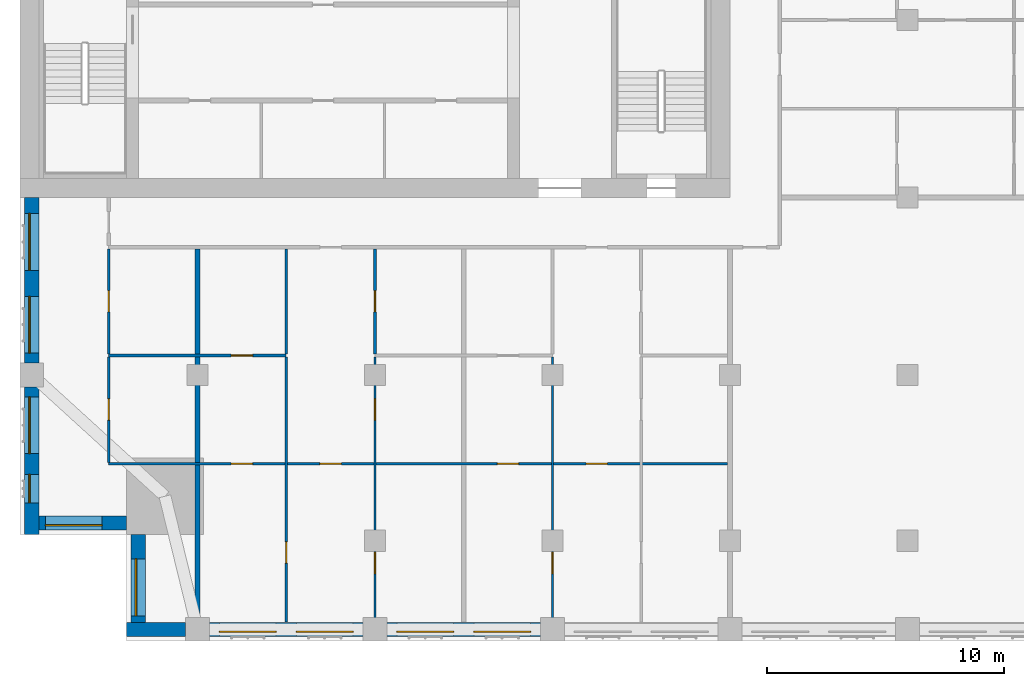
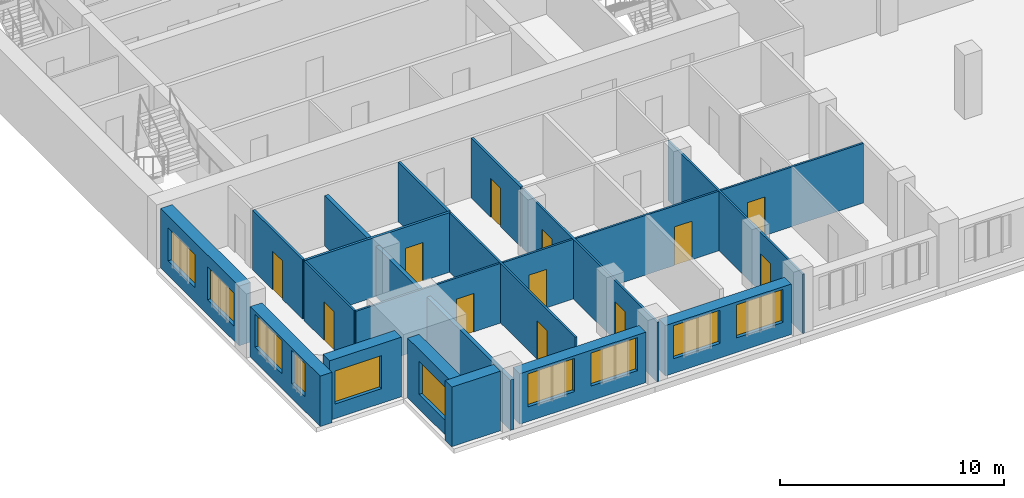
# One storey, part 6 of 14: 17 walls, 12 doors, 10 windows, 22 openings.
"""IFC4 building model written with IfcOpenShell, lengths in metres."""

from ifc_helpers import new_model, si_unit, direction, frame, frame_2d, origin, place, context, subcontext, project, spatial, rectangle, extrude, material, layer, layer_set, type_object, element, fill, save


model = new_model("IFC4")

# Units and contexts
model_context = context("Model", 3, precision=1e-05, world=origin(), true_north=direction((0.0, 1.0)))
body_context = subcontext(model_context, "Body", "Model", "MODEL_VIEW")
ifc_project = project(units=[si_unit("LENGTHUNIT", "METRE"), si_unit("AREAUNIT", "SQUARE_METRE"), si_unit("VOLUMEUNIT", "CUBIC_METRE"), si_unit("PLANEANGLEUNIT", "RADIAN"), si_unit("MASSUNIT", "GRAM", prefix="KILO")], contexts=[model_context])

# Site, building, storey
site_placement = place(None, origin())
site = spatial("IfcSite", under=ifc_project, at=site_placement, CompositionType="ELEMENT")
building_placement = place(site_placement, origin())
building = spatial("IfcBuilding", under=site, at=building_placement, Name="Tamorin Gate", CompositionType="ELEMENT")
storey_placement = place(building_placement, frame((0.0, 0.0, 193.199951171875)))
storey = spatial("IfcBuildingStorey", under=building, at=storey_placement, Name="L47", CompositionType="ELEMENT", Elevation=193.199951171875)

# Wall
ifc_material_1 = material(Name="Precast concrete C40/50", Category="concrete")
ifc_layer_1 = layer(ifc_material_1, 0.60009765625)
ifc_layer_set_1 = layer_set([ifc_layer_1], Name="Precast concrete C40/50")
wall_type_1 = type_object("IfcWallType", Name="Board-marked concrete facade panel 600", PredefinedType="SOLIDWALL", material=ifc_layer_set_1)
wall_1_placement = place(storey_placement, frame((34.5, 41.75, 0.0), z_axis=(0.0, 0.0, 1.0), x_axis=(1.0, 0.0, 0.0)))
element("IfcWall", 1, at=wall_1_placement, inside=storey, type_object=wall_type_1, Name="Facade panel", PredefinedType="SOLIDWALL", context=body_context, shape_type="SweptSolid", body=[
    extrude(rectangle(XDim=2.5, YDim=0.60009765625, at=frame_2d((1.25, 0.0))), origin(), (0.0, 0.0, 1.0), 3.25),
])

# Wall, openings, windows
wall_2_placement = place(storey_placement, frame((38.0, 41.75, 0.0), z_axis=(0.0, 0.0, 1.0), x_axis=(1.0, 0.0, 0.0)))
wall_2 = element("IfcWall", 2, at=wall_2_placement, inside=storey, type_object=wall_type_1, Name="Facade panel", PredefinedType="SOLIDWALL", context=body_context, shape_type="SweptSolid", body=[
    extrude(rectangle(XDim=6.5, YDim=0.60009765625, at=frame_2d((3.25, 0.0))), origin(), (0.0, 0.0, 1.0), 2.75),
])
opening_1_placement = place(wall_2_placement, frame((0.425048828125, 0.0, 0.800048828125)))
opening_1 = element("IfcOpeningElement", 3, at=opening_1_placement, cuts=wall_2, Name="Opening WN1", PredefinedType="OPENING", context=body_context, shape_type="SweptSolid", body=[
    extrude(rectangle(XDim=2.39990234375, YDim=1.800048828125, at=frame_2d((1.199951171875, 0.89990234375))), frame((0.0, 0.31005859375, 0.0), z_axis=(0.0, -1.0, 0.0), x_axis=(1.0, 0.0, 0.0)), (0.0, 0.0, 1.0), 0.6201171875),
])
opening_2_placement = place(wall_2_placement, frame((3.675048828125, 0.0, 0.800048828125)))
opening_2 = element("IfcOpeningElement", 4, at=opening_2_placement, cuts=wall_2, Name="Opening WN1", PredefinedType="OPENING", context=body_context, shape_type="SweptSolid", body=[
    extrude(rectangle(XDim=2.39990234375, YDim=1.800048828125, at=frame_2d((1.199951171875, 0.89990234375))), frame((0.0, 0.31005859375, 0.0), z_axis=(0.0, -1.0, 0.0), x_axis=(1.0, 0.0, 0.0)), (0.0, 0.0, 1.0), 0.6201171875),
])
ifc_material_2 = material(Name="Clear glass in aluminium frame", Category="aluminium")
window_type_1 = type_object("IfcWindowType", Name="Deep-set window 2400x1800", PartitioningType="SINGLE_PANEL", PredefinedType="WINDOW", material=ifc_material_2)
window_1_placement = place(opening_1_placement, origin())
window_1 = element("IfcWindow", 5, at=window_1_placement, inside=storey, type_object=window_type_1, Name="Deep-set window", OverallHeight=1.800048828125, OverallWidth=2.39990234375, PartitioningType="SINGLE_PANEL", PredefinedType="WINDOW", context=body_context, shape_type="SweptSolid", body=[
    extrude(rectangle(XDim=2.39990234375, YDim=1.800048828125, at=frame_2d((1.199951171875, 0.89990234375))), frame((0.0, -0.070068359375, 0.0), z_axis=(0.0, -1.0, 0.0), x_axis=(1.0, 0.0, 0.0)), (0.0, 0.0, 1.0), 0.06005859375),
])
fill(opening_1, window_1)
window_2_placement = place(opening_2_placement, origin())
window_2 = element("IfcWindow", 6, at=window_2_placement, inside=storey, type_object=window_type_1, Name="Deep-set window", OverallHeight=1.800048828125, OverallWidth=2.39990234375, PartitioningType="SINGLE_PANEL", PredefinedType="WINDOW", context=body_context, shape_type="SweptSolid", body=[
    extrude(rectangle(XDim=2.39990234375, YDim=1.800048828125, at=frame_2d((1.199951171875, 0.89990234375))), frame((0.0, -0.070068359375, 0.0), z_axis=(0.0, -1.0, 0.0), x_axis=(1.0, 0.0, 0.0)), (0.0, 0.0, 1.0), 0.06005859375),
])
fill(opening_2, window_2)

wall_3_placement = place(storey_placement, frame((45.5, 41.75, 0.0), z_axis=(0.0, 0.0, 1.0), x_axis=(1.0, 0.0, 0.0)))
wall_3 = element("IfcWall", 7, at=wall_3_placement, inside=storey, type_object=wall_type_1, Name="Facade panel", PredefinedType="SOLIDWALL", context=body_context, shape_type="SweptSolid", body=[
    extrude(rectangle(XDim=6.5, YDim=0.60009765625, at=frame_2d((3.25, 0.0))), origin(), (0.0, 0.0, 1.0), 2.75),
])
opening_3_placement = place(wall_3_placement, frame((0.425048828125, 0.0, 0.800048828125)))
opening_3 = element("IfcOpeningElement", 8, at=opening_3_placement, cuts=wall_3, Name="Opening WN1", PredefinedType="OPENING", context=body_context, shape_type="SweptSolid", body=[
    extrude(rectangle(XDim=2.39990234375, YDim=1.800048828125, at=frame_2d((1.199951171875, 0.89990234375))), frame((0.0, 0.31005859375, 0.0), z_axis=(0.0, -1.0, 0.0), x_axis=(1.0, 0.0, 0.0)), (0.0, 0.0, 1.0), 0.6201171875),
])
opening_4_placement = place(wall_3_placement, frame((3.675048828125, 0.0, 0.800048828125)))
opening_4 = element("IfcOpeningElement", 9, at=opening_4_placement, cuts=wall_3, Name="Opening WN1", PredefinedType="OPENING", context=body_context, shape_type="SweptSolid", body=[
    extrude(rectangle(XDim=2.39990234375, YDim=1.800048828125, at=frame_2d((1.199951171875, 0.89990234375))), frame((0.0, 0.31005859375, 0.0), z_axis=(0.0, -1.0, 0.0), x_axis=(1.0, 0.0, 0.0)), (0.0, 0.0, 1.0), 0.6201171875),
])
window_3_placement = place(opening_3_placement, origin())
window_3 = element("IfcWindow", 10, at=window_3_placement, inside=storey, type_object=window_type_1, Name="Deep-set window", OverallHeight=1.800048828125, OverallWidth=2.39990234375, PartitioningType="SINGLE_PANEL", PredefinedType="WINDOW", context=body_context, shape_type="SweptSolid", body=[
    extrude(rectangle(XDim=2.39990234375, YDim=1.800048828125, at=frame_2d((1.199951171875, 0.89990234375))), frame((0.0, -0.070068359375, 0.0), z_axis=(0.0, -1.0, 0.0), x_axis=(1.0, 0.0, 0.0)), (0.0, 0.0, 1.0), 0.06005859375),
])
fill(opening_3, window_3)
window_4_placement = place(opening_4_placement, origin())
window_4 = element("IfcWindow", 11, at=window_4_placement, inside=storey, type_object=window_type_1, Name="Deep-set window", OverallHeight=1.800048828125, OverallWidth=2.39990234375, PartitioningType="SINGLE_PANEL", PredefinedType="WINDOW", context=body_context, shape_type="SweptSolid", body=[
    extrude(rectangle(XDim=2.39990234375, YDim=1.800048828125, at=frame_2d((1.199951171875, 0.89990234375))), frame((0.0, -0.070068359375, 0.0), z_axis=(0.0, -1.0, 0.0), x_axis=(1.0, 0.0, 0.0)), (0.0, 0.0, 1.0), 0.06005859375),
])
fill(opening_4, window_4)

wall_4_placement = place(storey_placement, frame((30.5, 60.0, 0.0), z_axis=(0.0, 0.0, 1.0), x_axis=(0.0, -1.0, 0.0)))
wall_4 = element("IfcWall", 12, at=wall_4_placement, inside=storey, type_object=wall_type_1, Name="Facade panel", PredefinedType="SOLIDWALL", context=body_context, shape_type="SweptSolid", body=[
    extrude(rectangle(XDim=7.0, YDim=0.60009765625, at=frame_2d((3.5, 0.0))), origin(), (0.0, 0.0, 1.0), 3.25),
])
opening_5_placement = place(wall_4_placement, frame((4.175048828125, 0.0, 0.800048828125)))
opening_5 = element("IfcOpeningElement", 13, at=opening_5_placement, cuts=wall_4, Name="Opening WN1", PredefinedType="OPENING", context=body_context, shape_type="SweptSolid", body=[
    extrude(rectangle(XDim=2.39990234375, YDim=1.800048828125, at=frame_2d((1.199951171875, 0.89990234375))), frame((0.0, 0.31005859375, 0.0), z_axis=(0.0, -1.0, 0.0), x_axis=(1.0, 0.0, 0.0)), (0.0, 0.0, 1.0), 0.6201171875),
])
opening_6_placement = place(wall_4_placement, frame((0.675048828125, 0.0, 0.800048828125)))
opening_6 = element("IfcOpeningElement", 14, at=opening_6_placement, cuts=wall_4, Name="Opening WN1", PredefinedType="OPENING", context=body_context, shape_type="SweptSolid", body=[
    extrude(rectangle(XDim=2.39990234375, YDim=1.800048828125, at=frame_2d((1.199951171875, 0.89990234375))), frame((0.0, 0.31005859375, 0.0), z_axis=(0.0, -1.0, 0.0), x_axis=(1.0, 0.0, 0.0)), (0.0, 0.0, 1.0), 0.6201171875),
])
window_5_placement = place(opening_5_placement, origin())
window_5 = element("IfcWindow", 15, at=window_5_placement, inside=storey, type_object=window_type_1, Name="Deep-set window", OverallHeight=1.800048828125, OverallWidth=2.39990234375, PartitioningType="SINGLE_PANEL", PredefinedType="WINDOW", context=body_context, shape_type="SweptSolid", body=[
    extrude(rectangle(XDim=2.39990234375, YDim=1.800048828125, at=frame_2d((1.199951171875, 0.89990234375))), frame((0.0, -0.070068359375, 0.0), z_axis=(0.0, -1.0, 0.0), x_axis=(1.0, 0.0, 0.0)), (0.0, 0.0, 1.0), 0.06005859375),
])
fill(opening_5, window_5)
window_6_placement = place(opening_6_placement, origin())
window_6 = element("IfcWindow", 16, at=window_6_placement, inside=storey, type_object=window_type_1, Name="Deep-set window", OverallHeight=1.800048828125, OverallWidth=2.39990234375, PartitioningType="SINGLE_PANEL", PredefinedType="WINDOW", context=body_context, shape_type="SweptSolid", body=[
    extrude(rectangle(XDim=2.39990234375, YDim=1.800048828125, at=frame_2d((1.199951171875, 0.89990234375))), frame((0.0, -0.070068359375, 0.0), z_axis=(0.0, -1.0, 0.0), x_axis=(1.0, 0.0, 0.0)), (0.0, 0.0, 1.0), 0.06005859375),
])
fill(opening_6, window_6)

wall_5_placement = place(storey_placement, frame((30.5, 52.0, 0.0), z_axis=(0.0, 0.0, 1.0), x_axis=(0.0, -1.0, 0.0)))
wall_5 = element("IfcWall", 17, at=wall_5_placement, inside=storey, type_object=wall_type_1, Name="Facade panel", PredefinedType="SOLIDWALL", context=body_context, shape_type="SweptSolid", body=[
    extrude(rectangle(XDim=6.25, YDim=0.60009765625, at=frame_2d((3.125, 0.0))), origin(), (0.0, 0.0, 1.0), 2.75),
])
opening_7_placement = place(wall_5_placement, frame((3.699951171875, 0.0, 0.800048828125)))
opening_7 = element("IfcOpeningElement", 18, at=opening_7_placement, cuts=wall_5, Name="Opening WN3", PredefinedType="OPENING", context=body_context, shape_type="SweptSolid", body=[
    extrude(rectangle(XDim=1.199951171875, YDim=1.800048828125, at=frame_2d((0.60009765625, 0.89990234375))), frame((0.0, 0.31005859375, 0.0), z_axis=(0.0, -1.0, 0.0), x_axis=(1.0, 0.0, 0.0)), (0.0, 0.0, 1.0), 0.6201171875),
])
opening_8_placement = place(wall_5_placement, frame((0.425048828125, 0.0, 0.800048828125)))
opening_8 = element("IfcOpeningElement", 19, at=opening_8_placement, cuts=wall_5, Name="Opening WN1", PredefinedType="OPENING", context=body_context, shape_type="SweptSolid", body=[
    extrude(rectangle(XDim=2.39990234375, YDim=1.800048828125, at=frame_2d((1.199951171875, 0.89990234375))), frame((0.0, 0.31005859375, 0.0), z_axis=(0.0, -1.0, 0.0), x_axis=(1.0, 0.0, 0.0)), (0.0, 0.0, 1.0), 0.6201171875),
])
window_type_2 = type_object("IfcWindowType", Name="Deep-set window 1200x1800", PartitioningType="SINGLE_PANEL", PredefinedType="WINDOW", material=ifc_material_2)
window_7_placement = place(opening_7_placement, origin())
window_7 = element("IfcWindow", 20, at=window_7_placement, inside=storey, type_object=window_type_2, Name="Deep-set window", OverallHeight=1.800048828125, OverallWidth=1.199951171875, PartitioningType="SINGLE_PANEL", PredefinedType="WINDOW", context=body_context, shape_type="SweptSolid", body=[
    extrude(rectangle(XDim=1.199951171875, YDim=1.800048828125, at=frame_2d((0.60009765625, 0.89990234375))), frame((0.0, -0.070068359375, 0.0), z_axis=(0.0, -1.0, 0.0), x_axis=(1.0, 0.0, 0.0)), (0.0, 0.0, 1.0), 0.06005859375),
])
fill(opening_7, window_7)
window_8_placement = place(opening_8_placement, origin())
window_8 = element("IfcWindow", 21, at=window_8_placement, inside=storey, type_object=window_type_1, Name="Deep-set window", OverallHeight=1.800048828125, OverallWidth=2.39990234375, PartitioningType="SINGLE_PANEL", PredefinedType="WINDOW", context=body_context, shape_type="SweptSolid", body=[
    extrude(rectangle(XDim=2.39990234375, YDim=1.800048828125, at=frame_2d((1.199951171875, 0.89990234375))), frame((0.0, -0.070068359375, 0.0), z_axis=(0.0, -1.0, 0.0), x_axis=(1.0, 0.0, 0.0)), (0.0, 0.0, 1.0), 0.06005859375),
])
fill(opening_8, window_8)

# Wall, opening, window
wall_6_placement = place(storey_placement, frame((30.800048828125, 46.25, 0.0), z_axis=(0.0, 0.0, 1.0), x_axis=(1.0, 0.0, 0.0)))
wall_6 = element("IfcWall", 22, at=wall_6_placement, inside=storey, type_object=wall_type_1, Name="Facade panel", PredefinedType="SOLIDWALL", context=body_context, shape_type="SweptSolid", body=[
    extrude(rectangle(XDim=3.699951171875, YDim=0.60009765625, at=frame_2d((1.85009765625, 0.0))), origin(), (0.0, 0.0, 1.0), 3.25),
])
opening_9_placement = place(wall_6_placement, frame((0.27490234375, 0.0, 0.800048828125)))
opening_9 = element("IfcOpeningElement", 23, at=opening_9_placement, cuts=wall_6, Name="Opening WN1", PredefinedType="OPENING", context=body_context, shape_type="SweptSolid", body=[
    extrude(rectangle(XDim=2.39990234375, YDim=1.800048828125, at=frame_2d((1.199951171875, 0.89990234375))), frame((0.0, 0.31005859375, 0.0), z_axis=(0.0, -1.0, 0.0), x_axis=(1.0, 0.0, 0.0)), (0.0, 0.0, 1.0), 0.6201171875),
])
window_9_placement = place(opening_9_placement, origin())
window_9 = element("IfcWindow", 24, at=window_9_placement, inside=storey, type_object=window_type_1, Name="Deep-set window", OverallHeight=1.800048828125, OverallWidth=2.39990234375, PartitioningType="SINGLE_PANEL", PredefinedType="WINDOW", context=body_context, shape_type="SweptSolid", body=[
    extrude(rectangle(XDim=2.39990234375, YDim=1.800048828125, at=frame_2d((1.199951171875, 0.89990234375))), frame((0.0, -0.070068359375, 0.0), z_axis=(0.0, -1.0, 0.0), x_axis=(1.0, 0.0, 0.0)), (0.0, 0.0, 1.0), 0.06005859375),
])
fill(opening_9, window_9)

wall_7_placement = place(storey_placement, frame((35.0, 45.75, 0.0), z_axis=(0.0, 0.0, 1.0), x_axis=(0.0, -1.0, 0.0)))
wall_7 = element("IfcWall", 25, at=wall_7_placement, inside=storey, type_object=wall_type_1, Name="Facade panel", PredefinedType="SOLIDWALL", context=body_context, shape_type="SweptSolid", body=[
    extrude(rectangle(XDim=3.699951171875, YDim=0.60009765625, at=frame_2d((1.85009765625, 0.0))), origin(), (0.0, 0.0, 1.0), 3.25),
])
opening_10_placement = place(wall_7_placement, frame((1.02490234375, 0.0, 0.800048828125)))
opening_10 = element("IfcOpeningElement", 26, at=opening_10_placement, cuts=wall_7, Name="Opening WN1", PredefinedType="OPENING", context=body_context, shape_type="SweptSolid", body=[
    extrude(rectangle(XDim=2.39990234375, YDim=1.800048828125, at=frame_2d((1.199951171875, 0.89990234375))), frame((0.0, 0.31005859375, 0.0), z_axis=(0.0, -1.0, 0.0), x_axis=(1.0, 0.0, 0.0)), (0.0, 0.0, 1.0), 0.6201171875),
])
window_10_placement = place(opening_10_placement, origin())
window_10 = element("IfcWindow", 27, at=window_10_placement, inside=storey, type_object=window_type_1, Name="Deep-set window", OverallHeight=1.800048828125, OverallWidth=2.39990234375, PartitioningType="SINGLE_PANEL", PredefinedType="WINDOW", context=body_context, shape_type="SweptSolid", body=[
    extrude(rectangle(XDim=2.39990234375, YDim=1.800048828125, at=frame_2d((1.199951171875, 0.89990234375))), frame((0.0, -0.070068359375, 0.0), z_axis=(0.0, -1.0, 0.0), x_axis=(1.0, 0.0, 0.0)), (0.0, 0.0, 1.0), 0.06005859375),
])
fill(opening_10, window_10)

# Wall
ifc_material_3 = material(Name="Gypsum board partition")
ifc_layer_2 = layer(ifc_material_3, 0.199951171875)
ifc_layer_set_2 = layer_set([ifc_layer_2], Name="Demising wall 200")
wall_type_2 = type_object("IfcWallType", Name="Demising wall 200", PredefinedType="PARTITIONING", material=ifc_layer_set_2)
wall_8_placement = place(storey_placement, frame((37.5, 41.25, 0.0), z_axis=(0.0, 0.0, 1.0), x_axis=(0.0, 1.0, 0.0)))
element("IfcWall", 28, at=wall_8_placement, inside=storey, type_object=wall_type_2, Name="Demising wall 200", PredefinedType="PARTITIONING", context=body_context, shape_type="SweptSolid", body=[
    extrude(rectangle(XDim=16.574951171875, YDim=0.199951171875, at=frame_2d((8.28759765625, 0.0))), origin(), (0.0, 0.0, 1.0), 2.75),
])

# Wall, openings, doors
ifc_layer_3 = layer(ifc_material_3, 0.10009765625)
ifc_layer_set_3 = layer_set([ifc_layer_3], Name="Room partition 100")
wall_type_3 = type_object("IfcWallType", Name="Room partition 100", PredefinedType="PARTITIONING", material=ifc_layer_set_3)
wall_9_placement = place(storey_placement, frame((33.75, 48.75, 0.0), z_axis=(0.0, 0.0, 1.0), x_axis=(1.0, 0.0, 0.0)))
wall_9 = element("IfcWall", 29, at=wall_9_placement, inside=storey, type_object=wall_type_3, Name="Room partition 100", PredefinedType="PARTITIONING", context=body_context, shape_type="SweptSolid", body=[
    extrude(rectangle(XDim=26.14990234375, YDim=0.10009765625, at=frame_2d((13.074951171875, 0.0))), origin(), (0.0, 0.0, 1.0), 3.25),
])
opening_11_placement = place(wall_9_placement, frame((5.175048828125, 0.0, 0.0)))
opening_11 = element("IfcOpeningElement", 30, at=opening_11_placement, cuts=wall_9, Name="Opening DR1004", PredefinedType="OPENING", context=body_context, shape_type="SweptSolid", body=[
    extrude(rectangle(XDim=0.89990234375, YDim=2.10009765625, at=frame_2d((0.449951171875, 1.050048828125))), frame((0.0, 0.06005859375, 0.0), z_axis=(0.0, -1.0, 0.0), x_axis=(1.0, 0.0, 0.0)), (0.0, 0.0, 1.0), 0.1201171875),
])
opening_12_placement = place(wall_9_placement, frame((8.925048828125, 0.0, 0.0)))
opening_12 = element("IfcOpeningElement", 31, at=opening_12_placement, cuts=wall_9, Name="Opening DR1007", PredefinedType="OPENING", context=body_context, shape_type="SweptSolid", body=[
    extrude(rectangle(XDim=0.89990234375, YDim=2.10009765625, at=frame_2d((0.449951171875, 1.050048828125))), frame((0.0, 0.06005859375, 0.0), z_axis=(0.0, -1.0, 0.0), x_axis=(1.0, 0.0, 0.0)), (0.0, 0.0, 1.0), 0.1201171875),
])
opening_13_placement = place(wall_9_placement, frame((16.425048828125, 0.0, 0.0)))
opening_13 = element("IfcOpeningElement", 32, at=opening_13_placement, cuts=wall_9, Name="Opening DR1012", PredefinedType="OPENING", context=body_context, shape_type="SweptSolid", body=[
    extrude(rectangle(XDim=0.89990234375, YDim=2.10009765625, at=frame_2d((0.449951171875, 1.050048828125))), frame((0.0, 0.06005859375, 0.0), z_axis=(0.0, -1.0, 0.0), x_axis=(1.0, 0.0, 0.0)), (0.0, 0.0, 1.0), 0.1201171875),
])
opening_14_placement = place(wall_9_placement, frame((20.175048828125, 0.0, 0.0)))
opening_14 = element("IfcOpeningElement", 33, at=opening_14_placement, cuts=wall_9, Name="Opening DR1015", PredefinedType="OPENING", context=body_context, shape_type="SweptSolid", body=[
    extrude(rectangle(XDim=0.89990234375, YDim=2.10009765625, at=frame_2d((0.449951171875, 1.050048828125))), frame((0.0, 0.06005859375, 0.0), z_axis=(0.0, -1.0, 0.0), x_axis=(1.0, 0.0, 0.0)), (0.0, 0.0, 1.0), 0.1201171875),
])
ifc_material_4 = material(Name="Timber door leaf", Category="wood")
door_type = type_object("IfcDoorType", Name="Door 900 x 2100", OperationType="NOTDEFINED", PredefinedType="DOOR", material=ifc_material_4)
door_1_placement = place(opening_11_placement, origin())
door_1 = element("IfcDoor", 34, at=door_1_placement, inside=storey, type_object=door_type, Name="Door DR1004", OperationType="SINGLE_SWING_LEFT", OverallHeight=2.10009765625, OverallWidth=0.89990234375, PredefinedType="DOOR", context=body_context, shape_type="SweptSolid", body=[
    extrude(rectangle(XDim=0.89990234375, YDim=2.10009765625, at=frame_2d((0.449951171875, 1.050048828125))), frame((0.0, 0.02490234375, 0.0), z_axis=(0.0, -1.0, 0.0), x_axis=(1.0, 0.0, 0.0)), (0.0, 0.0, 1.0), 0.050048828125),
])
fill(opening_11, door_1)
door_2_placement = place(opening_12_placement, origin())
door_2 = element("IfcDoor", 35, at=door_2_placement, inside=storey, type_object=door_type, Name="Door DR1007", OperationType="SINGLE_SWING_LEFT", OverallHeight=2.10009765625, OverallWidth=0.89990234375, PredefinedType="DOOR", context=body_context, shape_type="SweptSolid", body=[
    extrude(rectangle(XDim=0.89990234375, YDim=2.10009765625, at=frame_2d((0.449951171875, 1.050048828125))), frame((0.0, 0.02490234375, 0.0), z_axis=(0.0, -1.0, 0.0), x_axis=(1.0, 0.0, 0.0)), (0.0, 0.0, 1.0), 0.050048828125),
])
fill(opening_12, door_2)
door_3_placement = place(opening_13_placement, origin())
door_3 = element("IfcDoor", 36, at=door_3_placement, inside=storey, type_object=door_type, Name="Door DR1012", OperationType="SINGLE_SWING_LEFT", OverallHeight=2.10009765625, OverallWidth=0.89990234375, PredefinedType="DOOR", context=body_context, shape_type="SweptSolid", body=[
    extrude(rectangle(XDim=0.89990234375, YDim=2.10009765625, at=frame_2d((0.449951171875, 1.050048828125))), frame((0.0, 0.02490234375, 0.0), z_axis=(0.0, -1.0, 0.0), x_axis=(1.0, 0.0, 0.0)), (0.0, 0.0, 1.0), 0.050048828125),
])
fill(opening_13, door_3)
door_4_placement = place(opening_14_placement, origin())
door_4 = element("IfcDoor", 37, at=door_4_placement, inside=storey, type_object=door_type, Name="Door DR1015", OperationType="SINGLE_SWING_LEFT", OverallHeight=2.10009765625, OverallWidth=0.89990234375, PredefinedType="DOOR", context=body_context, shape_type="SweptSolid", body=[
    extrude(rectangle(XDim=0.89990234375, YDim=2.10009765625, at=frame_2d((0.449951171875, 1.050048828125))), frame((0.0, 0.02490234375, 0.0), z_axis=(0.0, -1.0, 0.0), x_axis=(1.0, 0.0, 0.0)), (0.0, 0.0, 1.0), 0.050048828125),
])
fill(opening_14, door_4)

# Wall, opening, door
wall_10_placement = place(storey_placement, frame((33.75, 48.800048828125, 0.0), z_axis=(0.0, 0.0, 1.0), x_axis=(0.0, 1.0, 0.0)))
wall_10 = element("IfcWall", 38, at=wall_10_placement, inside=storey, type_object=wall_type_3, Name="Room partition 100", PredefinedType="PARTITIONING", context=body_context, shape_type="SweptSolid", body=[
    extrude(rectangle(XDim=4.46240234375, YDim=0.10009765625, at=frame_2d((2.231201171875, 0.0))), origin(), (0.0, 0.0, 1.0), 3.25),
])
opening_15_placement = place(wall_10_placement, frame((1.78759765625, 0.0, 0.0)))
opening_15 = element("IfcOpeningElement", 39, at=opening_15_placement, cuts=wall_10, Name="Opening DR1002", PredefinedType="OPENING", context=body_context, shape_type="SweptSolid", body=[
    extrude(rectangle(XDim=0.89990234375, YDim=2.10009765625, at=frame_2d((0.449951171875, 1.050048828125))), frame((0.0, 0.06005859375, 0.0), z_axis=(0.0, -1.0, 0.0), x_axis=(1.0, 0.0, 0.0)), (0.0, 0.0, 1.0), 0.1201171875),
])
door_5_placement = place(opening_15_placement, origin())
door_5 = element("IfcDoor", 40, at=door_5_placement, inside=storey, type_object=door_type, Name="Door DR1002", OperationType="SINGLE_SWING_RIGHT", OverallHeight=2.10009765625, OverallWidth=0.89990234375, PredefinedType="DOOR", context=body_context, shape_type="SweptSolid", body=[
    extrude(rectangle(XDim=0.89990234375, YDim=2.10009765625, at=frame_2d((0.449951171875, 1.050048828125))), frame((0.0, 0.02490234375, 0.0), z_axis=(0.0, -1.0, 0.0), x_axis=(1.0, 0.0, 0.0)), (0.0, 0.0, 1.0), 0.050048828125),
])
fill(opening_15, door_5)

wall_11_placement = place(storey_placement, frame((41.25, 42.06005859375, 0.0), z_axis=(0.0, 0.0, 1.0), x_axis=(0.0, 1.0, 0.0)))
wall_11 = element("IfcWall", 41, at=wall_11_placement, inside=storey, type_object=wall_type_3, Name="Room partition 100", PredefinedType="PARTITIONING", context=body_context, shape_type="SweptSolid", body=[
    extrude(rectangle(XDim=11.202392578125, YDim=0.10009765625, at=frame_2d((5.60107421875, 0.0))), origin(), (0.0, 0.0, 1.0), 3.25),
])
opening_16_placement = place(wall_11_placement, frame((2.489990234375, 0.0, 0.0)))
opening_16 = element("IfcOpeningElement", 42, at=opening_16_placement, cuts=wall_11, Name="Opening DR1010", PredefinedType="OPENING", context=body_context, shape_type="SweptSolid", body=[
    extrude(rectangle(XDim=0.89990234375, YDim=2.10009765625, at=frame_2d((0.449951171875, 1.050048828125))), frame((0.0, 0.06005859375, 0.0), z_axis=(0.0, -1.0, 0.0), x_axis=(1.0, 0.0, 0.0)), (0.0, 0.0, 1.0), 0.1201171875),
])
door_6_placement = place(opening_16_placement, origin())
door_6 = element("IfcDoor", 43, at=door_6_placement, inside=storey, type_object=door_type, Name="Door DR1010", OperationType="SINGLE_SWING_LEFT", OverallHeight=2.10009765625, OverallWidth=0.89990234375, PredefinedType="DOOR", context=body_context, shape_type="SweptSolid", body=[
    extrude(rectangle(XDim=0.89990234375, YDim=2.10009765625, at=frame_2d((0.449951171875, 1.050048828125))), frame((0.0, 0.02490234375, 0.0), z_axis=(0.0, -1.0, 0.0), x_axis=(1.0, 0.0, 0.0)), (0.0, 0.0, 1.0), 0.050048828125),
])
fill(opening_16, door_6)

# Wall, openings, doors
wall_12_placement = place(storey_placement, frame((45.0, 41.25, 0.0), z_axis=(0.0, 0.0, 1.0), x_axis=(0.0, 1.0, 0.0)))
wall_12 = element("IfcWall", 44, at=wall_12_placement, inside=storey, type_object=wall_type_3, Name="Room partition 100", PredefinedType="PARTITIONING", context=body_context, shape_type="SweptSolid", body=[
    extrude(rectangle(XDim=12.012451171875, YDim=0.10009765625, at=frame_2d((6.00634765625, 0.0))), origin(), (0.0, 0.0, 1.0), 3.25),
])
opening_17_placement = place(wall_12_placement, frame((9.33740234375, 0.0, 0.0)))
opening_17 = element("IfcOpeningElement", 45, at=opening_17_placement, cuts=wall_12, Name="Opening DR1008", PredefinedType="OPENING", context=body_context, shape_type="SweptSolid", body=[
    extrude(rectangle(XDim=0.89990234375, YDim=2.10009765625, at=frame_2d((0.449951171875, 1.050048828125))), frame((0.0, 0.06005859375, 0.0), z_axis=(0.0, -1.0, 0.0), x_axis=(1.0, 0.0, 0.0)), (0.0, 0.0, 1.0), 0.1201171875),
])
opening_18_placement = place(wall_12_placement, frame((2.85009765625, 0.0, 0.0)))
opening_18 = element("IfcOpeningElement", 46, at=opening_18_placement, cuts=wall_12, Name="Opening DR1011", PredefinedType="OPENING", context=body_context, shape_type="SweptSolid", body=[
    extrude(rectangle(XDim=0.89990234375, YDim=2.10009765625, at=frame_2d((0.449951171875, 1.050048828125))), frame((0.0, 0.06005859375, 0.0), z_axis=(0.0, -1.0, 0.0), x_axis=(1.0, 0.0, 0.0)), (0.0, 0.0, 1.0), 0.1201171875),
])
door_7_placement = place(opening_17_placement, origin())
door_7 = element("IfcDoor", 47, at=door_7_placement, inside=storey, type_object=door_type, Name="Door DR1008", OperationType="SINGLE_SWING_RIGHT", OverallHeight=2.10009765625, OverallWidth=0.89990234375, PredefinedType="DOOR", context=body_context, shape_type="SweptSolid", body=[
    extrude(rectangle(XDim=0.89990234375, YDim=2.10009765625, at=frame_2d((0.449951171875, 1.050048828125))), frame((0.0, 0.02490234375, 0.0), z_axis=(0.0, -1.0, 0.0), x_axis=(1.0, 0.0, 0.0)), (0.0, 0.0, 1.0), 0.050048828125),
])
fill(opening_17, door_7)
door_8_placement = place(opening_18_placement, origin())
door_8 = element("IfcDoor", 48, at=door_8_placement, inside=storey, type_object=door_type, Name="Door DR1011", OperationType="SINGLE_SWING_LEFT", OverallHeight=2.10009765625, OverallWidth=0.89990234375, PredefinedType="DOOR", context=body_context, shape_type="SweptSolid", body=[
    extrude(rectangle(XDim=0.89990234375, YDim=2.10009765625, at=frame_2d((0.449951171875, 1.050048828125))), frame((0.0, 0.02490234375, 0.0), z_axis=(0.0, -1.0, 0.0), x_axis=(1.0, 0.0, 0.0)), (0.0, 0.0, 1.0), 0.050048828125),
])
fill(opening_18, door_8)

# Wall, opening, door
wall_13_placement = place(storey_placement, frame((52.5, 41.25, 0.0), z_axis=(0.0, 0.0, 1.0), x_axis=(0.0, 1.0, 0.0)))
wall_13 = element("IfcWall", 49, at=wall_13_placement, inside=storey, type_object=wall_type_3, Name="Room partition 100", PredefinedType="PARTITIONING", context=body_context, shape_type="SweptSolid", body=[
    extrude(rectangle(XDim=12.012451171875, YDim=0.10009765625, at=frame_2d((6.00634765625, 0.0))), origin(), (0.0, 0.0, 1.0), 3.25),
])
opening_19_placement = place(wall_13_placement, frame((2.85009765625, 0.0, 0.0)))
opening_19 = element("IfcOpeningElement", 50, at=opening_19_placement, cuts=wall_13, Name="Opening DR1018", PredefinedType="OPENING", context=body_context, shape_type="SweptSolid", body=[
    extrude(rectangle(XDim=0.89990234375, YDim=2.10009765625, at=frame_2d((0.449951171875, 1.050048828125))), frame((0.0, 0.06005859375, 0.0), z_axis=(0.0, -1.0, 0.0), x_axis=(1.0, 0.0, 0.0)), (0.0, 0.0, 1.0), 0.1201171875),
])
door_9_placement = place(opening_19_placement, origin())
door_9 = element("IfcDoor", 51, at=door_9_placement, inside=storey, type_object=door_type, Name="Door DR1018", OperationType="SINGLE_SWING_LEFT", OverallHeight=2.10009765625, OverallWidth=0.89990234375, PredefinedType="DOOR", context=body_context, shape_type="SweptSolid", body=[
    extrude(rectangle(XDim=0.89990234375, YDim=2.10009765625, at=frame_2d((0.449951171875, 1.050048828125))), frame((0.0, 0.02490234375, 0.0), z_axis=(0.0, -1.0, 0.0), x_axis=(1.0, 0.0, 0.0)), (0.0, 0.0, 1.0), 0.050048828125),
])
fill(opening_19, door_9)

ifc_layer_4 = layer(ifc_material_3, 0.125)
ifc_layer_set_4 = layer_set([ifc_layer_4], Name="Wet wall 125")
wall_type_4 = type_object("IfcWallType", Name="Wet wall 125", PredefinedType="PARTITIONING", material=ifc_layer_set_4)
wall_14_placement = place(storey_placement, frame((33.75, 53.324951171875, 0.0), z_axis=(0.0, 0.0, 1.0), x_axis=(1.0, 0.0, 0.0)))
wall_14 = element("IfcWall", 52, at=wall_14_placement, inside=storey, type_object=wall_type_4, Name="Wet wall 125", PredefinedType="PARTITIONING", context=body_context, shape_type="SweptSolid", body=[
    extrude(rectangle(XDim=7.5, YDim=0.125, at=frame_2d((3.75, 0.0))), origin(), (0.0, 0.0, 1.0), 3.25),
])
opening_20_placement = place(wall_14_placement, frame((5.175048828125, 0.0, 0.0)))
opening_20 = element("IfcOpeningElement", 53, at=opening_20_placement, cuts=wall_14, Name="Opening DR1005", PredefinedType="OPENING", context=body_context, shape_type="SweptSolid", body=[
    extrude(rectangle(XDim=0.89990234375, YDim=2.10009765625, at=frame_2d((0.449951171875, 1.050048828125))), frame((0.0, 0.072509765625, 0.0), z_axis=(0.0, -1.0, 0.0), x_axis=(1.0, 0.0, 0.0)), (0.0, 0.0, 1.0), 0.14501953125),
])
door_10_placement = place(opening_20_placement, origin())
door_10 = element("IfcDoor", 54, at=door_10_placement, inside=storey, type_object=door_type, Name="Door DR1005", OperationType="SINGLE_SWING_LEFT", OverallHeight=2.10009765625, OverallWidth=0.89990234375, PredefinedType="DOOR", context=body_context, shape_type="SweptSolid", body=[
    extrude(rectangle(XDim=0.89990234375, YDim=2.10009765625, at=frame_2d((0.449951171875, 1.050048828125))), frame((0.0, 0.02490234375, 0.0), z_axis=(0.0, -1.0, 0.0), x_axis=(1.0, 0.0, 0.0)), (0.0, 0.0, 1.0), 0.050048828125),
])
fill(opening_20, door_10)

wall_15_placement = place(storey_placement, frame((33.75, 53.387451171875, 0.0), z_axis=(0.0, 0.0, 1.0), x_axis=(0.0, 1.0, 0.0)))
wall_15 = element("IfcWall", 55, at=wall_15_placement, inside=storey, type_object=wall_type_4, Name="Wet wall 125", PredefinedType="PARTITIONING", context=body_context, shape_type="SweptSolid", body=[
    extrude(rectangle(XDim=4.4375, YDim=0.125, at=frame_2d((2.21875, 0.0))), origin(), (0.0, 0.0, 1.0), 3.25),
])
opening_21_placement = place(wall_15_placement, frame((1.77490234375, 0.0, 0.0)))
opening_21 = element("IfcOpeningElement", 56, at=opening_21_placement, cuts=wall_15, Name="Opening DR1003", PredefinedType="OPENING", context=body_context, shape_type="SweptSolid", body=[
    extrude(rectangle(XDim=0.89990234375, YDim=2.10009765625, at=frame_2d((0.449951171875, 1.050048828125))), frame((0.0, 0.072509765625, 0.0), z_axis=(0.0, -1.0, 0.0), x_axis=(1.0, 0.0, 0.0)), (0.0, 0.0, 1.0), 0.14501953125),
])
door_11_placement = place(opening_21_placement, origin())
door_11 = element("IfcDoor", 57, at=door_11_placement, inside=storey, type_object=door_type, Name="Door DR1003", OperationType="SINGLE_SWING_RIGHT", OverallHeight=2.10009765625, OverallWidth=0.89990234375, PredefinedType="DOOR", context=body_context, shape_type="SweptSolid", body=[
    extrude(rectangle(XDim=0.89990234375, YDim=2.10009765625, at=frame_2d((0.449951171875, 1.050048828125))), frame((0.0, 0.02490234375, 0.0), z_axis=(0.0, -1.0, 0.0), x_axis=(1.0, 0.0, 0.0)), (0.0, 0.0, 1.0), 0.050048828125),
])
fill(opening_21, door_11)

# Wall
wall_16_placement = place(storey_placement, frame((41.25, 53.387451171875, 0.0), z_axis=(0.0, 0.0, 1.0), x_axis=(0.0, 1.0, 0.0)))
element("IfcWall", 58, at=wall_16_placement, inside=storey, type_object=wall_type_4, Name="Wet wall 125", PredefinedType="PARTITIONING", context=body_context, shape_type="SweptSolid", body=[
    extrude(rectangle(XDim=4.4375, YDim=0.125, at=frame_2d((2.21875, 0.0))), origin(), (0.0, 0.0, 1.0), 3.25),
])

# Wall, opening, door
wall_17_placement = place(storey_placement, frame((45.0, 53.387451171875, 0.0), z_axis=(0.0, 0.0, 1.0), x_axis=(0.0, 1.0, 0.0)))
wall_17 = element("IfcWall", 59, at=wall_17_placement, inside=storey, type_object=wall_type_4, Name="Wet wall 125", PredefinedType="PARTITIONING", context=body_context, shape_type="SweptSolid", body=[
    extrude(rectangle(XDim=4.4375, YDim=0.125, at=frame_2d((2.21875, 0.0))), origin(), (0.0, 0.0, 1.0), 3.25),
])
opening_22_placement = place(wall_17_placement, frame((1.77490234375, 0.0, 0.0)))
opening_22 = element("IfcOpeningElement", 60, at=opening_22_placement, cuts=wall_17, Name="Opening DR1009", PredefinedType="OPENING", context=body_context, shape_type="SweptSolid", body=[
    extrude(rectangle(XDim=0.89990234375, YDim=2.10009765625, at=frame_2d((0.449951171875, 1.050048828125))), frame((0.0, 0.072509765625, 0.0), z_axis=(0.0, -1.0, 0.0), x_axis=(1.0, 0.0, 0.0)), (0.0, 0.0, 1.0), 0.14501953125),
])
door_12_placement = place(opening_22_placement, origin())
door_12 = element("IfcDoor", 61, at=door_12_placement, inside=storey, type_object=door_type, Name="Door DR1009", OperationType="SINGLE_SWING_RIGHT", OverallHeight=2.10009765625, OverallWidth=0.89990234375, PredefinedType="DOOR", context=body_context, shape_type="SweptSolid", body=[
    extrude(rectangle(XDim=0.89990234375, YDim=2.10009765625, at=frame_2d((0.449951171875, 1.050048828125))), frame((0.0, 0.02490234375, 0.0), z_axis=(0.0, -1.0, 0.0), x_axis=(1.0, 0.0, 0.0)), (0.0, 0.0, 1.0), 0.050048828125),
])
fill(opening_22, door_12)

save(model, "model.ifc")
